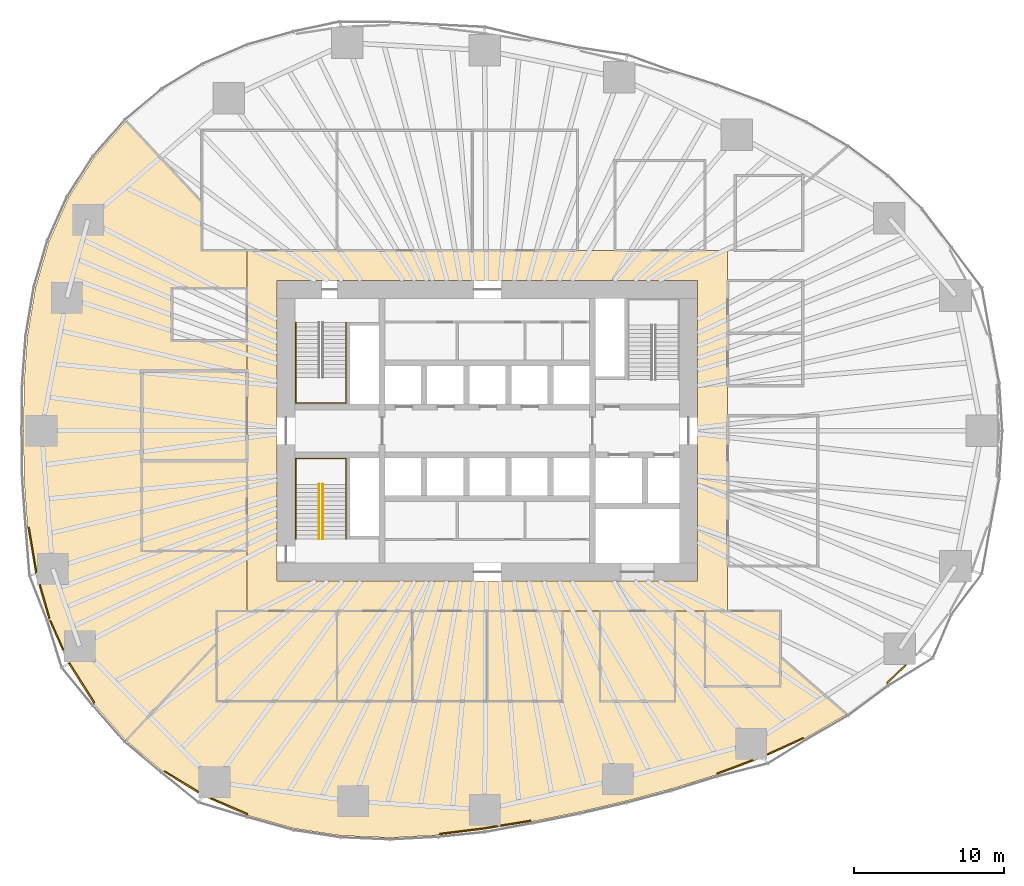
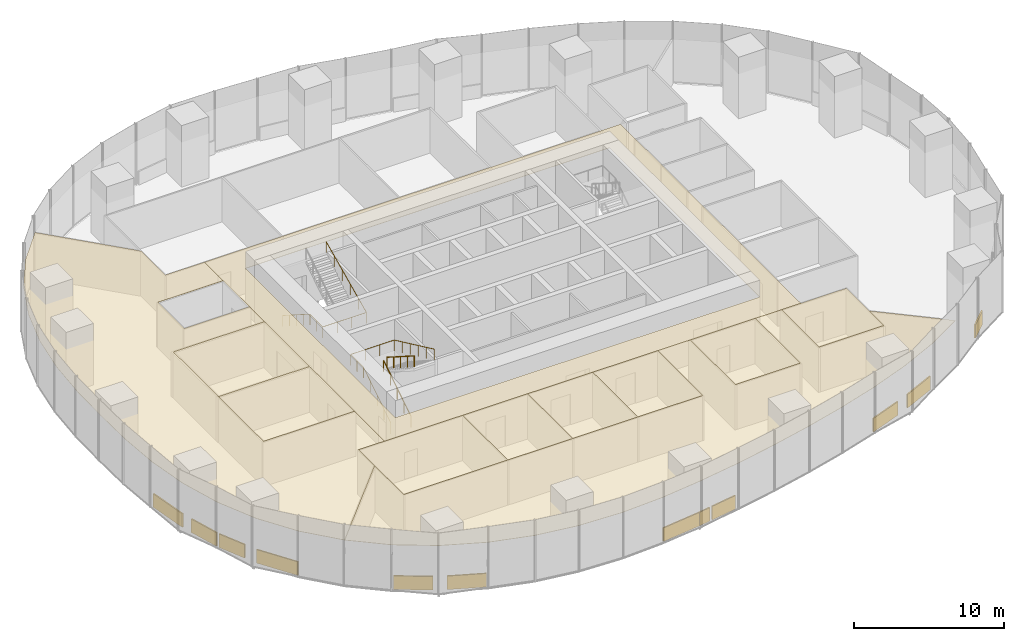
# One storey, part 17 of 20: 23 coverings, 4 railings.
"""IFC4 building model written with IfcOpenShell, lengths in metres."""

from ifc_helpers import new_model, si_unit, direction, frame, origin, origin_2d, place, context, subcontext, project, spatial, polyline, rectangle, circle, outline, extrude, material, layer, layer_set, type_object, element, save


model = new_model("IFC4")

# Units and contexts
model_context = context("Model", 3, precision=1e-05, world=origin(), true_north=direction((0.0, 1.0)))
body_context = subcontext(model_context, "Body", "Model", "MODEL_VIEW")
ifc_project = project(units=[si_unit("LENGTHUNIT", "METRE"), si_unit("AREAUNIT", "SQUARE_METRE"), si_unit("VOLUMEUNIT", "CUBIC_METRE"), si_unit("PLANEANGLEUNIT", "RADIAN"), si_unit("MASSUNIT", "GRAM", prefix="KILO")], contexts=[model_context])

# Site, building, storey
site_placement = place(None, origin())
site = spatial("IfcSite", under=ifc_project, at=site_placement, CompositionType="ELEMENT")
building_placement = place(site_placement, origin())
building = spatial("IfcBuilding", under=site, at=building_placement, Name="Ghaith Harvest Tower", CompositionType="ELEMENT")
storey_placement = place(building_placement, frame((0.0, 0.0, 20.0)))
storey = spatial("IfcBuildingStorey", under=building, at=storey_placement, Name="L04", CompositionType="ELEMENT", Elevation=20.0)

# Coverings
ifc_material_1 = material(Name="Mineral fibre ceiling tile", Category="gypsum")
ifc_layer_1 = layer(ifc_material_1, 0.02490234375)
ifc_layer_set_1 = layer_set([ifc_layer_1], Name="CEILING C2")
covering_type_1 = type_object("IfcCoveringType", Name="CEILING C2", PredefinedType="CEILING", material=ifc_layer_set_1)
covering_1_placement = place(storey_placement, frame((0.0, 0.0, 3.60009765625)))
element("IfcCovering", 1, at=covering_1_placement, inside=storey, type_object=covering_type_1, Name="Ceiling L04-05", PredefinedType="CEILING", context=body_context, shape_type="SweptSolid", body=[
    extrude(outline(polyline([(-18.0, -18.0), (-10.0, -18.0), (-10.0, -12.0), (-18.0, -12.0), (-18.0, -18.0)])), origin(), (0.0, 0.0, 1.0), 0.02490234375),
])
covering_2_placement = place(storey_placement, frame((0.0, 0.0, 3.60009765625)))
element("IfcCovering", 2, at=covering_2_placement, inside=storey, type_object=covering_type_1, Name="Ceiling L04-06", PredefinedType="CEILING", context=body_context, shape_type="SweptSolid", body=[
    extrude(outline(polyline([(-10.0, -18.0), (-5.0, -18.0), (-5.0, -12.0), (-10.0, -12.0), (-10.0, -18.0)])), origin(), (0.0, 0.0, 1.0), 0.02490234375),
])
covering_3_placement = place(storey_placement, frame((0.0, 0.0, 3.60009765625)))
element("IfcCovering", 3, at=covering_3_placement, inside=storey, type_object=covering_type_1, Name="Ceiling L04-07", PredefinedType="CEILING", context=body_context, shape_type="SweptSolid", body=[
    extrude(outline(polyline([(-5.0, -18.0), (0.0, -18.0), (0.0, -12.0), (-5.0, -12.0), (-5.0, -18.0)])), origin(), (0.0, 0.0, 1.0), 0.02490234375),
])
covering_4_placement = place(storey_placement, frame((0.0, 0.0, 3.60009765625)))
element("IfcCovering", 4, at=covering_4_placement, inside=storey, type_object=covering_type_1, Name="Ceiling L04-08", PredefinedType="CEILING", context=body_context, shape_type="SweptSolid", body=[
    extrude(outline(polyline([(0.0, -18.0), (5.0, -18.0), (5.0, -12.0), (0.0, -12.0), (0.0, -18.0)])), origin(), (0.0, 0.0, 1.0), 0.02490234375),
])
covering_5_placement = place(storey_placement, frame((0.0, 0.0, 3.60009765625)))
element("IfcCovering", 5, at=covering_5_placement, inside=storey, type_object=covering_type_1, Name="Ceiling L04-09", PredefinedType="CEILING", context=body_context, shape_type="SweptSolid", body=[
    extrude(outline(polyline([(7.5, -18.0), (12.5, -18.0), (12.5, -12.0), (7.5, -12.0), (7.5, -18.0)])), origin(), (0.0, 0.0, 1.0), 0.02490234375),
])
covering_6_placement = place(storey_placement, frame((0.0, 0.0, 3.60009765625)))
element("IfcCovering", 6, at=covering_6_placement, inside=storey, type_object=covering_type_1, Name="Ceiling L04-12", PredefinedType="CEILING", context=body_context, shape_type="SweptSolid", body=[
    extrude(outline(polyline([(-23.0, -8.0), (-16.0, -8.0), (-16.0, -2.0), (-23.0, -2.0), (-23.0, -8.0)])), origin(), (0.0, 0.0, 1.0), 0.02490234375),
])
covering_7_placement = place(storey_placement, frame((0.0, 0.0, 3.60009765625)))
element("IfcCovering", 7, at=covering_7_placement, inside=storey, type_object=covering_type_1, Name="Ceiling L04-13", PredefinedType="CEILING", context=body_context, shape_type="SweptSolid", body=[
    extrude(outline(polyline([(-23.0, -2.0), (-16.0, -2.0), (-16.0, 4.0), (-23.0, 4.0), (-23.0, -2.0)])), origin(), (0.0, 0.0, 1.0), 0.02490234375),
])
covering_8_placement = place(storey_placement, frame((0.0, 0.0, 3.60009765625)))
element("IfcCovering", 8, at=covering_8_placement, inside=storey, type_object=covering_type_1, Name="Ceiling L04-15", PredefinedType="CEILING", context=body_context, shape_type="SweptSolid", body=[
    extrude(outline(polyline([(14.5, -17.0), (19.5, -17.0), (19.5, -12.0), (14.5, -12.0), (14.5, -17.0)])), origin(), (0.0, 0.0, 1.0), 0.02490234375),
])
covering_9_placement = place(storey_placement, frame((0.0, 0.0, 3.60009765625)))
element("IfcCovering", 9, at=covering_9_placement, inside=storey, type_object=covering_type_1, Name="Ceiling L04-C1", PredefinedType="CEILING", context=body_context, shape_type="SweptSolid", body=[
    extrude(outline(polyline([(-16.0, 12.0), (16.0, 12.0), (16.0, -12.0), (-16.0, -12.0), (-16.0, 12.0)]), holes=[polyline([(14.0, -10.0), (14.0, 10.0), (-14.0, 10.0), (-14.0, -10.0), (14.0, -10.0)])]), origin(), (0.0, 0.0, 1.0), 0.02490234375),
])
covering_10_placement = place(storey_placement, frame((0.0, 0.0, 3.60009765625)))
element("IfcCovering", 10, at=covering_10_placement, inside=storey, type_object=covering_type_1, Name="Ceiling L04-S1", PredefinedType="CEILING", context=body_context, shape_type="SweptSolid", body=[
    extrude(outline(polyline([(-18.8935546875, -24.32763671875), (-21.59912109375, -22.671142578125), (-24.04833984375, -20.618408203125), (-18.0, -14.1416015625), (-18.0, -18.0), (5.0, -18.0), (5.0, -12.0), (7.5, -12.0), (7.5, -18.0), (12.5, -18.0), (12.5, -12.0), (14.5, -12.0), (14.5, -17.0), (19.5, -17.0), (19.5, -15.03564453125), (23.92431640625, -18.873046875), (21.149169921875, -20.469482421875), (18.34521484375, -21.7548828125), (15.22119140625, -22.916259765625), (12.1796875, -23.857666015625), (9.21533203125, -24.65087890625), (6.10888671875, -25.378662109375), (2.99560546875, -26.004150390625), (-0.181396484375, -26.527099609375), (-3.24755859375, -26.91064453125), (-6.4375, -27.0849609375), (-9.733642578125, -26.949951171875), (-12.828125, -26.476806640625), (-15.907958984375, -25.614501953125), (-18.8935546875, -24.32763671875)])), origin(), (0.0, 0.0, 1.0), 0.02490234375),
])
covering_11_placement = place(storey_placement, frame((0.0, 0.0, 3.60009765625)))
element("IfcCovering", 11, at=covering_11_placement, inside=storey, type_object=covering_type_1, Name="Ceiling L04-W1", PredefinedType="CEILING", context=body_context, shape_type="SweptSolid", body=[
    extrude(outline(polyline([(-26.16455078125, -18.20556640625), (-27.881591796875, -15.507080078125), (-29.182373046875, -12.587890625), (-30.073974609375, -9.531005859375), (-30.606689453125, -6.35107421875), (-30.837158203125, -3.165771484375), (-30.875, 0.0), (-30.837158203125, 3.165771484375), (-30.606689453125, 6.35107421875), (-30.073974609375, 9.531005859375), (-29.182373046875, 12.587890625), (-27.881591796875, 15.507080078125), (-26.16455078125, 18.20556640625), (-24.04833984375, 20.618408203125), (-19.0, 15.21240234375), (-19.0, 12.0), (-16.0, 12.0), (-16.0, 9.5), (-21.0, 9.5), (-21.0, 6.0), (-16.0, 6.0), (-16.0, 4.0), (-23.0, 4.0), (-23.0, -8.0), (-16.0, -8.0), (-16.0, -12.0), (-18.0, -12.0), (-18.0, -14.1416015625), (-24.04833984375, -20.618408203125), (-26.16455078125, -18.20556640625)])), origin(), (0.0, 0.0, 1.0), 0.02490234375),
])

# Railings
ifc_material_2 = material(Name="Steel, black powder-coated", Category="steel")
railing_type = type_object("IfcRailingType", Name="HANDRAIL HR1", PredefinedType="HANDRAIL", material=ifc_material_2)
railing_1_placement = place(storey_placement, frame((-12.75, 7.199951171875, 0.178466796875)))
element("IfcRailing", 12, at=railing_1_placement, inside=storey, type_object=railing_type, Name="Handrail HR1 stair ST1 L04 wall side", PredefinedType="HANDRAIL", context=body_context, shape_type="SweptSolid", body=[
    extrude(circle(Radius=0.02392578125, at=origin_2d()), frame((0.0, 0.0, 0.8759765625), z_axis=(0.0, -0.843111507901, 0.53773877045), x_axis=(1.0, 0.0, 0.0)), (0.0, 0.0, 1.0), 4.317138671875),
    extrude(circle(Radius=0.02392578125, at=origin_2d()), frame((0.0, -3.639892578125, 3.197265625), z_axis=(0.0, -1.0, 0.0), x_axis=(1.0, 0.0, 0.0)), (0.0, 0.0, 1.0), 1.7099609375),
    extrude(circle(Radius=0.02392578125, at=origin_2d()), frame((0.0, -5.349853515625, 3.197265625), z_axis=(1.0, 0.0, 0.0), x_axis=(0.0, 1.0, 0.0)), (0.0, 0.0, 1.0), 3.35009765625),
    extrude(circle(Radius=0.02392578125, at=origin_2d()), frame((3.35009765625, -5.349853515625, 3.197265625), z_axis=(0.0, 0.905962265858, 0.423358444868), x_axis=(-1.0, 0.0, 0.0)), (0.0, 0.0, 1.0), 5.9052734375),
    extrude(circle(Radius=0.02099609375, at=origin_2d()), origin(), (0.0, 0.0, 1.0), 0.851806640625),
    extrude(circle(Radius=0.02099609375, at=origin_2d()), frame((0.0, -0.909912109375, 0.580322265625)), (0.0, 0.0, 1.0), 0.851806640625),
    extrude(circle(Radius=0.02099609375, at=origin_2d()), frame((0.0, -1.81982421875, 1.16064453125)), (0.0, 0.0, 1.0), 0.851806640625),
    extrude(circle(Radius=0.02099609375, at=origin_2d()), frame((0.0, -2.72998046875, 1.7412109375)), (0.0, 0.0, 1.0), 0.851806640625),
    extrude(circle(Radius=0.02099609375, at=origin_2d()), frame((0.0, -3.639892578125, 2.321533203125)), (0.0, 0.0, 1.0), 0.851806640625),
    extrude(circle(Radius=0.02099609375, at=origin_2d()), frame((0.0, -4.494873046875, 2.321533203125)), (0.0, 0.0, 1.0), 0.851806640625),
    extrude(circle(Radius=0.02099609375, at=origin_2d()), frame((0.0, -5.349853515625, 2.321533203125)), (0.0, 0.0, 1.0), 0.851806640625),
    extrude(circle(Radius=0.02099609375, at=origin_2d()), frame((1.11669921875, -5.349853515625, 2.321533203125)), (0.0, 0.0, 1.0), 0.851806640625),
    extrude(circle(Radius=0.02099609375, at=origin_2d()), frame((2.2333984375, -5.349853515625, 2.321533203125)), (0.0, 0.0, 1.0), 0.851806640625),
    extrude(circle(Radius=0.02099609375, at=origin_2d()), frame((3.35009765625, -5.349853515625, 2.321533203125)), (0.0, 0.0, 1.0), 0.851806640625),
    extrude(circle(Radius=0.02099609375, at=origin_2d()), frame((3.35009765625, -4.27978515625, 2.821533203125)), (0.0, 0.0, 1.0), 0.851806640625),
    extrude(circle(Radius=0.02099609375, at=origin_2d()), frame((3.35009765625, -3.2099609375, 3.321533203125)), (0.0, 0.0, 1.0), 0.851806640625),
    extrude(circle(Radius=0.02099609375, at=origin_2d()), frame((3.35009765625, -2.139892578125, 3.821533203125)), (0.0, 0.0, 1.0), 0.851806640625),
    extrude(circle(Radius=0.02099609375, at=origin_2d()), frame((3.35009765625, -1.070068359375, 4.321533203125)), (0.0, 0.0, 1.0), 0.851806640625),
    extrude(circle(Radius=0.02099609375, at=origin_2d()), frame((3.35009765625, 0.0, 4.821533203125)), (0.0, 0.0, 1.0), 0.851806640625),
])
railing_2_placement = place(storey_placement, frame((-11.199951171875, -7.199951171875, 0.178466796875)))
element("IfcRailing", 13, at=railing_2_placement, inside=storey, type_object=railing_type, Name="Handrail HR1 stair ST3 L04 flight 1 inner", PredefinedType="HANDRAIL", context=body_context, shape_type="SweptSolid", body=[
    extrude(circle(Radius=0.02392578125, at=origin_2d()), frame((0.0, 0.0, 0.8759765625), z_axis=(0.0, 0.843111507901, 0.53773877045), x_axis=(-1.0, 0.0, 0.0)), (0.0, 0.0, 1.0), 4.317138671875),
    extrude(circle(Radius=0.02099609375, at=origin_2d()), origin(), (0.0, 0.0, 1.0), 0.851806640625),
    extrude(circle(Radius=0.02099609375, at=origin_2d()), frame((0.0, 0.909912109375, 0.580322265625)), (0.0, 0.0, 1.0), 0.851806640625),
    extrude(circle(Radius=0.02099609375, at=origin_2d()), frame((0.0, 1.81982421875, 1.16064453125)), (0.0, 0.0, 1.0), 0.851806640625),
    extrude(circle(Radius=0.02099609375, at=origin_2d()), frame((0.0, 2.72998046875, 1.7412109375)), (0.0, 0.0, 1.0), 0.851806640625),
    extrude(circle(Radius=0.02099609375, at=origin_2d()), frame((0.0, 3.639892578125, 2.321533203125)), (0.0, 0.0, 1.0), 0.851806640625),
])
railing_3_placement = place(storey_placement, frame((-10.949951171875, -3.56005859375, 2.678466796875)))
element("IfcRailing", 14, at=railing_3_placement, inside=storey, type_object=railing_type, Name="Handrail HR1 stair ST3 L04 flight 2 inner", PredefinedType="HANDRAIL", context=body_context, shape_type="SweptSolid", body=[
    extrude(circle(Radius=0.02392578125, at=origin_2d()), frame((0.0, 0.0, 0.8759765625), z_axis=(0.0, -0.843111507901, 0.53773877045), x_axis=(1.0, 0.0, 0.0)), (0.0, 0.0, 1.0), 4.317138671875),
    extrude(circle(Radius=0.02099609375, at=origin_2d()), origin(), (0.0, 0.0, 1.0), 0.851806640625),
    extrude(circle(Radius=0.02099609375, at=origin_2d()), frame((0.0, -0.909912109375, 0.580322265625)), (0.0, 0.0, 1.0), 0.851806640625),
    extrude(circle(Radius=0.02099609375, at=origin_2d()), frame((0.0, -1.81982421875, 1.16064453125)), (0.0, 0.0, 1.0), 0.851806640625),
    extrude(circle(Radius=0.02099609375, at=origin_2d()), frame((0.0, -2.72998046875, 1.7412109375)), (0.0, 0.0, 1.0), 0.851806640625),
    extrude(circle(Radius=0.02099609375, at=origin_2d()), frame((0.0, -3.639892578125, 2.321533203125)), (0.0, 0.0, 1.0), 0.851806640625),
])
railing_4_placement = place(storey_placement, frame((-12.75, -7.199951171875, 0.178466796875)))
element("IfcRailing", 15, at=railing_4_placement, inside=storey, type_object=railing_type, Name="Handrail HR1 stair ST3 L04 wall side", PredefinedType="HANDRAIL", context=body_context, shape_type="SweptSolid", body=[
    extrude(circle(Radius=0.02392578125, at=origin_2d()), frame((0.0, 0.0, 0.8759765625), z_axis=(0.0, 0.843111507901, 0.53773877045), x_axis=(-1.0, 0.0, 0.0)), (0.0, 0.0, 1.0), 4.317138671875),
    extrude(circle(Radius=0.02392578125, at=origin_2d()), frame((0.0, 3.639892578125, 3.197265625), z_axis=(0.0, 1.0, 0.0), x_axis=(-1.0, 0.0, 0.0)), (0.0, 0.0, 1.0), 1.7099609375),
    extrude(circle(Radius=0.02392578125, at=origin_2d()), frame((0.0, 5.349853515625, 3.197265625), z_axis=(1.0, 0.0, 0.0), x_axis=(0.0, 1.0, 0.0)), (0.0, 0.0, 1.0), 3.35009765625),
    extrude(circle(Radius=0.02392578125, at=origin_2d()), frame((3.35009765625, 5.349853515625, 3.197265625), z_axis=(0.0, -0.905962265858, 0.423358444868), x_axis=(1.0, 0.0, 0.0)), (0.0, 0.0, 1.0), 5.9052734375),
    extrude(circle(Radius=0.02099609375, at=origin_2d()), origin(), (0.0, 0.0, 1.0), 0.851806640625),
    extrude(circle(Radius=0.02099609375, at=origin_2d()), frame((0.0, 0.909912109375, 0.580322265625)), (0.0, 0.0, 1.0), 0.851806640625),
    extrude(circle(Radius=0.02099609375, at=origin_2d()), frame((0.0, 1.81982421875, 1.16064453125)), (0.0, 0.0, 1.0), 0.851806640625),
    extrude(circle(Radius=0.02099609375, at=origin_2d()), frame((0.0, 2.72998046875, 1.7412109375)), (0.0, 0.0, 1.0), 0.851806640625),
    extrude(circle(Radius=0.02099609375, at=origin_2d()), frame((0.0, 3.639892578125, 2.321533203125)), (0.0, 0.0, 1.0), 0.851806640625),
    extrude(circle(Radius=0.02099609375, at=origin_2d()), frame((0.0, 4.494873046875, 2.321533203125)), (0.0, 0.0, 1.0), 0.851806640625),
    extrude(circle(Radius=0.02099609375, at=origin_2d()), frame((0.0, 5.349853515625, 2.321533203125)), (0.0, 0.0, 1.0), 0.851806640625),
    extrude(circle(Radius=0.02099609375, at=origin_2d()), frame((1.11669921875, 5.349853515625, 2.321533203125)), (0.0, 0.0, 1.0), 0.851806640625),
    extrude(circle(Radius=0.02099609375, at=origin_2d()), frame((2.2333984375, 5.349853515625, 2.321533203125)), (0.0, 0.0, 1.0), 0.851806640625),
    extrude(circle(Radius=0.02099609375, at=origin_2d()), frame((3.35009765625, 5.349853515625, 2.321533203125)), (0.0, 0.0, 1.0), 0.851806640625),
    extrude(circle(Radius=0.02099609375, at=origin_2d()), frame((3.35009765625, 4.27978515625, 2.821533203125)), (0.0, 0.0, 1.0), 0.851806640625),
    extrude(circle(Radius=0.02099609375, at=origin_2d()), frame((3.35009765625, 3.2099609375, 3.321533203125)), (0.0, 0.0, 1.0), 0.851806640625),
    extrude(circle(Radius=0.02099609375, at=origin_2d()), frame((3.35009765625, 2.139892578125, 3.821533203125)), (0.0, 0.0, 1.0), 0.851806640625),
    extrude(circle(Radius=0.02099609375, at=origin_2d()), frame((3.35009765625, 1.070068359375, 4.321533203125)), (0.0, 0.0, 1.0), 0.851806640625),
    extrude(circle(Radius=0.02099609375, at=origin_2d()), frame((3.35009765625, 0.0, 4.821533203125)), (0.0, 0.0, 1.0), 0.851806640625),
])

# Coverings
ifc_material_3 = material(Name="Insulated aluminium spandrel panel on steel framing", Category="steel")
ifc_layer_2 = layer(ifc_material_3, 0.10009765625)
ifc_layer_set_2 = layer_set([ifc_layer_2], Name="SLAB EDGE UPSTAND 1100x100")
covering_type_2 = type_object("IfcCoveringType", Name="SLAB EDGE UPSTAND 1100x100", PredefinedType="CLADDING", material=ifc_layer_set_2)
covering_12_placement = place(storey_placement, frame((-30.2900390625, -7.9384765625, 0.0), z_axis=(0.0, 0.0, 1.0), x_axis=(0.165246181786, -0.986252350773, 0.0)))
element("IfcCovering", 16, at=covering_12_placement, inside=storey, type_object=covering_type_2, Name="Slab edge upstand 3 bay 11 L04", PredefinedType="CLADDING", context=body_context, shape_type="SweptSolid", body=[
    extrude(rectangle(XDim=3.03564453125, YDim=0.10009765625, at=origin_2d()), origin(), (0.0, 0.0, 1.0), 1.10009765625),
])
covering_13_placement = place(storey_placement, frame((-29.48828125, -11.35986328125, 0.0), z_axis=(0.0, 0.0, 1.0), x_axis=(0.280032411303, -0.95999054611, 0.0)))
element("IfcCovering", 17, at=covering_13_placement, inside=storey, type_object=covering_type_2, Name="Slab edge upstand 1 bay 12 L04", PredefinedType="CLADDING", context=body_context, shape_type="SweptSolid", body=[
    extrude(rectangle(XDim=2.3291015625, YDim=0.10009765625, at=origin_2d()), origin(), (0.0, 0.0, 1.0), 1.10009765625),
])
covering_14_placement = place(storey_placement, frame((-28.666748046875, -13.621826171875, 0.0), z_axis=(0.0, 0.0, 1.0), x_axis=(0.407003427802, -0.913426630747, 0.0)))
element("IfcCovering", 18, at=covering_14_placement, inside=storey, type_object=covering_type_2, Name="Slab edge upstand 2 bay 12 L04", PredefinedType="CLADDING", context=body_context, shape_type="SweptSolid", body=[
    extrude(rectangle(XDim=2.108642578125, YDim=0.10009765625, at=origin_2d()), origin(), (0.0, 0.0, 1.0), 1.10009765625),
])
covering_15_placement = place(storey_placement, frame((-27.0078125, -16.787353515625, 0.0), z_axis=(0.0, 0.0, 1.0), x_axis=(0.536807372204, -0.843704832952, 0.0)))
element("IfcCovering", 19, at=covering_15_placement, inside=storey, type_object=covering_type_2, Name="Slab edge upstand 3 bay 12 L04", PredefinedType="CLADDING", context=body_context, shape_type="SweptSolid", body=[
    extrude(rectangle(XDim=3.098388671875, YDim=0.10009765625, at=origin_2d()), origin(), (0.0, 0.0, 1.0), 1.10009765625),
])
covering_16_placement = place(storey_placement, frame((-20.36572265625, -23.367431640625, 0.0), z_axis=(0.0, 0.0, 1.0), x_axis=(0.852846651269, -0.522161459148, 0.0)))
element("IfcCovering", 20, at=covering_16_placement, inside=storey, type_object=covering_type_2, Name="Slab edge upstand 3 bay 13 L04", PredefinedType="CLADDING", context=body_context, shape_type="SweptSolid", body=[
    extrude(rectangle(XDim=2.630615234375, YDim=0.10009765625, at=origin_2d()), origin(), (0.0, 0.0, 1.0), 1.10009765625),
])
covering_17_placement = place(storey_placement, frame((-17.18994140625, -25.007568359375, 0.0), z_axis=(0.0, 0.0, 1.0), x_axis=(0.918306928324, -0.395869151856, 0.0)))
element("IfcCovering", 21, at=covering_17_placement, inside=storey, type_object=covering_type_2, Name="Slab edge upstand 1 bay 14 L04", PredefinedType="CLADDING", context=body_context, shape_type="SweptSolid", body=[
    extrude(rectangle(XDim=2.63525390625, YDim=0.10009765625, at=origin_2d()), origin(), (0.0, 0.0, 1.0), 1.10009765625),
])
covering_18_placement = place(storey_placement, frame((-1.671142578125, -26.6630859375, 0.0), z_axis=(0.0, 0.0, 1.0), x_axis=(0.992264868881, 0.124138752952, 0.0)))
element("IfcCovering", 22, at=covering_18_placement, inside=storey, type_object=covering_type_2, Name="Slab edge upstand 3 bay 15 L04", PredefinedType="CLADDING", context=body_context, shape_type="SweptSolid", body=[
    extrude(rectangle(XDim=2.98974609375, YDim=0.10009765625, at=origin_2d()), origin(), (0.0, 0.0, 1.0), 1.10009765625),
])
covering_19_placement = place(storey_placement, frame((0.2490234375, -26.405517578125, 0.0), z_axis=(0.0, 0.0, 1.0), x_axis=(0.98671624755, 0.162453214254, 0.0)))
element("IfcCovering", 23, at=covering_19_placement, inside=storey, type_object=covering_type_2, Name="Slab edge upstand 1 bay 16 L04", PredefinedType="CLADDING", context=body_context, shape_type="SweptSolid", body=[
    extrude(rectangle(XDim=0.88916015625, YDim=0.10009765625, at=origin_2d()), origin(), (0.0, 0.0, 1.0), 1.10009765625),
])
covering_20_placement = place(storey_placement, frame((1.891845703125, -26.135009765625, 0.0), z_axis=(0.0, 0.0, 1.0), x_axis=(0.98671624755, 0.162453214254, 0.0)))
element("IfcCovering", 24, at=covering_20_placement, inside=storey, type_object=covering_type_2, Name="Slab edge upstand 1 bay 16 L04", PredefinedType="CLADDING", context=body_context, shape_type="SweptSolid", body=[
    extrude(rectangle(XDim=2.0205078125, YDim=0.10009765625, at=origin_2d()), origin(), (0.0, 0.0, 1.0), 1.10009765625),
])
covering_21_placement = place(storey_placement, frame((16.495361328125, -22.38916015625, 0.0), z_axis=(0.0, 0.0, 1.0), x_axis=(0.937331853701, 0.348437937139, 0.0)))
element("IfcCovering", 25, at=covering_21_placement, inside=storey, type_object=covering_type_2, Name="Slab edge upstand 3 bay 17 L04", PredefinedType="CLADDING", context=body_context, shape_type="SweptSolid", body=[
    extrude(rectangle(XDim=2.555908203125, YDim=0.10009765625, at=origin_2d()), origin(), (0.0, 0.0, 1.0), 1.10009765625),
])
covering_22_placement = place(storey_placement, frame((19.84521484375, -21.01220703125, 0.0), z_axis=(0.0, 0.0, 1.0), x_axis=(0.909046054499, 0.416695657284, 0.0)))
element("IfcCovering", 26, at=covering_22_placement, inside=storey, type_object=covering_type_2, Name="Slab edge upstand 1 bay 18 L04", PredefinedType="CLADDING", context=body_context, shape_type="SweptSolid", body=[
    extrude(rectangle(XDim=2.623291015625, YDim=0.10009765625, at=origin_2d()), origin(), (0.0, 0.0, 1.0), 1.10009765625),
])
covering_23_placement = place(storey_placement, frame((27.227783203125, -16.205078125, 0.0), z_axis=(0.0, 0.0, 1.0), x_axis=(0.717386427289, 0.69667547247, 0.0)))
element("IfcCovering", 27, at=covering_23_placement, inside=storey, type_object=covering_type_2, Name="Slab edge upstand 1 bay 19 L04", PredefinedType="CLADDING", context=body_context, shape_type="SweptSolid", body=[
    extrude(rectangle(XDim=1.723388671875, YDim=0.10009765625, at=origin_2d()), origin(), (0.0, 0.0, 1.0), 1.10009765625),
])

save(model, "model.ifc")
